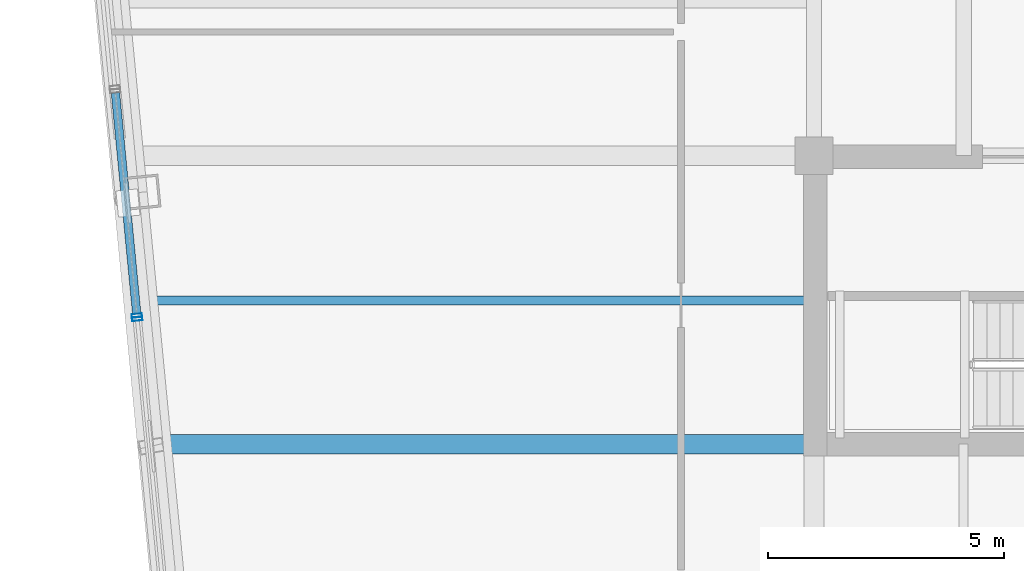
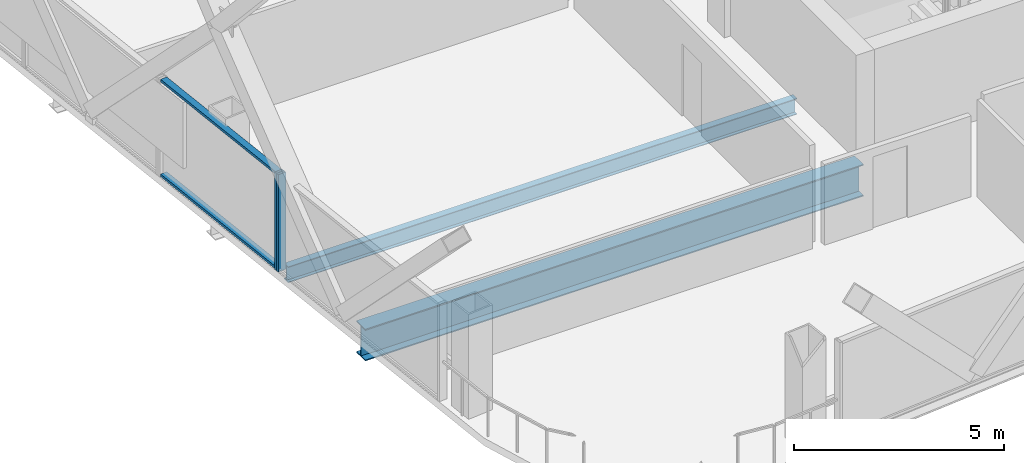
# One storey, part 4 of 34: 4 members, 2 beams, 2 elements without a shape of their own.
"""IFC4 building model written with IfcOpenShell, lengths in metres."""

import ifcopenshell
import ifcopenshell.guid

model = None  # the IFC model being written
_history = None  # IfcOwnerHistory: only IFC2X3 demands one
_inside = {}  # id of a spatial element -> (the spatial element, [elements in it])
_under = {}  # id of a project, library or spatial element -> (it, [spatial elements below it])
_declared = {}  # id of a project -> (the project, [libraries it declares])
_typed = {}  # id of a type object -> (the type object, [elements of that type])
_made_of = {}  # id of a material, layer set ... -> (it, [elements and type objects made of it])


def new_model(schema):
    """Start an empty IFC model of exactly this schema.

    Asked for "IFC4X3", IfcOpenShell would pick the latest addendum, in which some entities
    have other attributes; the version numbers below select the first issue.
    IFC2X3 requires an IfcOwnerHistory on every rooted entity: one is made here for all.
    """
    global model, _history
    if schema == "IFC4X3":
        model = ifcopenshell.file(schema_version=(4, 3, 0, 0))
    else:
        model = ifcopenshell.file(schema=schema)
    _inside.clear()
    _under.clear()
    _declared.clear()
    _typed.clear()
    _made_of.clear()
    _history = None
    if model.schema == "IFC2X3":
        org = make("IfcOrganization", Name="unknown")
        user = make(
            "IfcPersonAndOrganization",
            ThePerson=make("IfcPerson", FamilyName="unknown"),
            TheOrganization=org,
        )
        app = make(
            "IfcApplication",
            ApplicationDeveloper=org,
            Version="unknown",
            ApplicationFullName="unknown",
            ApplicationIdentifier="unknown",
        )
        _history = make(
            "IfcOwnerHistory",
            OwningUser=user,
            OwningApplication=app,
            ChangeAction="ADDED",
            CreationDate=0,
        )
    return model


def make(cls, **values):
    """One entity of the class cls with the attributes given. An attribute that is None is left unset."""
    return model.create_entity(
        cls, **{name: value for name, value in values.items() if value is not None}
    )


def rooted(cls, **values):
    """An entity with a GlobalId (a new one), such as an element, a storey or a relation."""
    return make(cls, GlobalId=ifcopenshell.guid.new(), OwnerHistory=_history, **values)


def si_unit(unit_type, name, prefix=None):
    """IfcSIUnit, for example si_unit("LENGTHUNIT", "METRE", prefix="MILLI")."""
    return make("IfcSIUnit", UnitType=unit_type, Prefix=prefix, Name=name)


def assignment(units):
    """IfcUnitAssignment: the units of a project."""
    return None if units is None else make("IfcUnitAssignment", Units=units)


def point(xyz):
    """IfcCartesianPoint."""
    return None if xyz is None else make("IfcCartesianPoint", Coordinates=xyz)


def direction(xyz):
    """IfcDirection."""
    return None if xyz is None else make("IfcDirection", DirectionRatios=xyz)


def frame(location, z_axis=None, x_axis=None):
    """IfcAxis2Placement3D, a coordinate frame: its origin and axes. An axis left out is left unset."""
    return make(
        "IfcAxis2Placement3D",
        Location=point(location),
        Axis=direction(z_axis),
        RefDirection=direction(x_axis),
    )


def frame_2d(location, x_axis=None):
    """IfcAxis2Placement2D, a coordinate frame in the plane: its origin and x axis."""
    return make(
        "IfcAxis2Placement2D", Location=point(location), RefDirection=direction(x_axis)
    )


def origin():
    """The frame at (0, 0, 0) with its axes left unset."""
    return frame((0.0, 0.0, 0.0))


def origin_2d():
    """The frame at (0, 0) in the plane with its x axis left unset."""
    return frame_2d((0.0, 0.0))


def place(relative_to, where):
    """IfcLocalPlacement: puts the frame where relative to a parent placement (None: the world)."""
    return make(
        "IfcLocalPlacement", PlacementRelTo=relative_to, RelativePlacement=where
    )


def context(
    kind, dimensions, precision=None, world=None, true_north=None, identifier=None
):
    """IfcGeometricRepresentationContext, for example the 3D "Model" context."""
    return make(
        "IfcGeometricRepresentationContext",
        ContextIdentifier=identifier,
        ContextType=kind,
        CoordinateSpaceDimension=dimensions,
        Precision=precision,
        WorldCoordinateSystem=world,
        TrueNorth=true_north,
    )


def subcontext(parent, identifier, kind, view, scale=None):
    """IfcGeometricRepresentationSubContext, for example "Body" below "Model"."""
    return make(
        "IfcGeometricRepresentationSubContext",
        ContextIdentifier=identifier,
        ContextType=kind,
        ParentContext=parent,
        TargetScale=scale,
        TargetView=view,
    )


def project(units=None, contexts=None):
    """IfcProject with its units and contexts."""
    return rooted(
        "IfcProject",
        Name="project",
        RepresentationContexts=contexts,
        UnitsInContext=assignment(units),
    )


def spatial(cls, under=None, at=None, **own):
    """A site, building, storey or space (cls), placed at a placement, below another one or the project."""
    s = rooted(cls, ObjectPlacement=at, **own)
    if under is not None:
        _under.setdefault(under.id(), (under, []))[1].append(s)
    return s


def profile(cls, at=None, kind="AREA", **sizes):
    """A parametric profile (cls). Its sizes go by their IFC names, for example OverallWidth=200.0."""
    return make(cls, ProfileType=kind, Position=at, **sizes)


def hollow_rectangle(**sizes):
    """IfcRectangleHollowProfileDef."""
    return profile("IfcRectangleHollowProfileDef", **sizes)


def i_section(**sizes):
    """IfcIShapeProfileDef."""
    return profile("IfcIShapeProfileDef", **sizes)


def extrude(swept, where, along, depth):
    """IfcExtrudedAreaSolid: the profile swept, set in the frame where, extruded along a direction by depth."""
    return make(
        "IfcExtrudedAreaSolid",
        SweptArea=swept,
        Position=where,
        ExtrudedDirection=direction(along),
        Depth=depth,
    )


def shape(context_of_items, identifier, shape_type, items):
    """IfcShapeRepresentation: the items that make up one representation, for example the "Body"."""
    return make(
        "IfcShapeRepresentation",
        ContextOfItems=context_of_items,
        RepresentationIdentifier=identifier,
        RepresentationType=shape_type,
        Items=items,
    )


def material(Name=None, Category=None):
    """IfcMaterial."""
    return make("IfcMaterial", Name=Name, Category=Category)


def layer(
    of_material, thickness, ventilated=None, Name=None, Category=None, Priority=None
):
    """IfcMaterialLayer: one layer of a wall or slab, of a material (None: an air gap)."""
    return make(
        "IfcMaterialLayer",
        Material=of_material,
        LayerThickness=thickness,
        IsVentilated=ventilated,
        Name=Name,
        Category=Category,
        Priority=Priority,
    )


def layer_set(layers, Name=None):
    """IfcMaterialLayerSet."""
    return make("IfcMaterialLayerSet", MaterialLayers=layers, LayerSetName=Name)


def material_profile(
    of_material, cross_section, Name=None, Category=None, Priority=None
):
    """IfcMaterialProfile: a cross section and its material."""
    return make(
        "IfcMaterialProfile",
        Name=Name,
        Material=of_material,
        Profile=cross_section,
        Priority=Priority,
        Category=Category,
    )


def profile_set(profiles, Name=None, composite=None):
    """IfcMaterialProfileSet."""
    return make(
        "IfcMaterialProfileSet",
        Name=Name,
        MaterialProfiles=profiles,
        CompositeProfile=composite,
    )


def made_of(thing, what):
    """Note that an element or type object is made of a material, layer set ...; save() writes the relation."""
    if what is not None:
        _made_of.setdefault(what.id(), (what, []))[1].append(thing)
    return thing


def type_object(cls, material=None, **own):
    """A type object (cls), such as IfcWallType, which elements share."""
    return made_of(rooted(cls, **own), material)


def element(
    cls,
    number,
    at=None,
    inside=None,
    cuts=None,
    type_object=None,
    material=None,
    context=None,
    identifier="Body",
    shape_type=None,
    held_by="IfcProductDefinitionShape",
    body=None,
    shapes=None,
    **own,
):
    """One element of the class cls, such as IfcWall. Its Tag is "e" and its number.

    at: its placement. inside: the storey or other place that contains it. cuts: it is an
    opening in that element (IfcRelVoidsElement). A single representation is given by context,
    identifier, shape_type and body (its items); several are given by shapes. held_by: the class
    of the entity that holds the representations. save() writes the other relations.
    """
    e = rooted(cls, Tag="e%d" % number, ObjectPlacement=at, **own)
    if body is not None:
        shapes = [shape(context, identifier, shape_type, body)]
    if shapes is not None:
        e.Representation = make(held_by, Representations=shapes)
    if inside is not None:
        _inside.setdefault(inside.id(), (inside, []))[1].append(e)
    if cuts is not None:
        rooted(
            "IfcRelVoidsElement", RelatingBuildingElement=cuts, RelatedOpeningElement=e
        )
    if type_object is not None:
        _typed.setdefault(type_object.id(), (type_object, []))[1].append(e)
    return made_of(e, material)


def aggregate(whole, parts):
    """IfcRelAggregates: a whole, such as a stair, and the parts it consists of."""
    return rooted("IfcRelAggregates", RelatingObject=whole, RelatedObjects=parts)


def save(model, path):
    """Write the relations noted so far, then the file.

    IfcRelAggregates (storeys below a building ...), IfcRelContainedInSpatialStructure (elements
    in a storey), IfcRelDefinesByType, IfcRelAssociatesMaterial and IfcRelDeclares: one each for
    every whole, place, type object, material and project.
    """
    for whole, parts in _under.values():
        aggregate(whole, parts)
    for where, things in _inside.values():
        rooted(
            "IfcRelContainedInSpatialStructure",
            RelatedElements=things,
            RelatingStructure=where,
        )
    for kind, things in _typed.values():
        rooted("IfcRelDefinesByType", RelatedObjects=things, RelatingType=kind)
    for what, things in _made_of.values():
        rooted("IfcRelAssociatesMaterial", RelatedObjects=things, RelatingMaterial=what)
    for by, libraries in _declared.values():
        rooted("IfcRelDeclares", RelatingContext=by, RelatedDefinitions=libraries)
    model.write(path)


model = new_model("IFC4")

# Units and contexts
model_context = context("Model", 3, precision=1e-05, world=origin(), true_north=direction((0.0, 1.0)))
body_context = subcontext(model_context, "Body", "Model", "MODEL_VIEW")
ifc_project = project(units=[si_unit("LENGTHUNIT", "METRE"), si_unit("AREAUNIT", "SQUARE_METRE"), si_unit("VOLUMEUNIT", "CUBIC_METRE"), si_unit("PLANEANGLEUNIT", "RADIAN"), si_unit("MASSUNIT", "GRAM", prefix="KILO")], contexts=[model_context])

# Site, building, storey
site_placement = place(None, origin())
site = spatial("IfcSite", under=ifc_project, at=site_placement, CompositionType="ELEMENT")
building_placement = place(site_placement, origin())
building = spatial("IfcBuilding", under=site, at=building_placement, Name="Qhalaya Broadcast Tower", CompositionType="ELEMENT")
storey_placement = place(building_placement, frame((0.0, 0.0, 168.35009765625)))
storey = spatial("IfcBuildingStorey", under=building, at=storey_placement, Name="L49", CompositionType="ELEMENT", Elevation=168.35009765625)

# Beams
ifc_material_1 = material(Name="Structural Steel ASTM A992 Grade 50", Category="steel")
ifc_material_profile_1 = material_profile(ifc_material_1, i_section(OverallWidth=0.19189453125, OverallDepth=0.462890625, WebThickness=0.010498046875, FlangeThickness=0.017578125, at=origin_2d()), Name="W18X60")
ifc_profile_set_1 = profile_set([ifc_material_profile_1], Name="Structural Steel ASTM A992 Grade 50")
beam_type_1 = type_object("IfcBeamType", Name="Composite Floor Joist J03", PredefinedType="JOIST", material=ifc_profile_set_1)
beam_1_placement = place(storey_placement, frame((-23.375732421875, -5.699951171875, -0.45166015625), z_axis=(1.0, 0.0, 0.0), x_axis=(0.0, 1.0, 0.0)))
element("IfcBeam", 1, at=beam_1_placement, inside=storey, type_object=beam_type_1, Name="L49 J03 L49-JWE3W-1", PredefinedType="JOIST", context=body_context, shape_type="SweptSolid", body=[
    extrude(i_section(OverallWidth=0.19189453125, OverallDepth=0.462890625, WebThickness=0.010498046875, FlangeThickness=0.017578125, at=origin_2d()), origin(), (0.0, 0.0, 1.0), 14.000732421875),
])
ifc_material_profile_2 = material_profile(ifc_material_1, i_section(OverallWidth=0.4189453125, OverallDepth=0.927001953125, WebThickness=0.019287109375, FlangeThickness=0.031982421875, at=origin_2d()), Name="W36X231")
ifc_profile_set_2 = profile_set([ifc_material_profile_2], Name="Structural Steel ASTM A992 Grade 50")
beam_type_2 = type_object("IfcBeamType", Name="Mid Block Primary Girder PG3", PredefinedType="USERDEFINED", material=ifc_profile_set_2)
beam_2_placement = place(storey_placement, frame((-23.08203125, -8.75, -0.68359375), z_axis=(1.0, 0.0, 0.0), x_axis=(0.0, 1.0, 0.0)))
element("IfcBeam", 2, at=beam_2_placement, inside=storey, type_object=beam_type_2, Name="L49 PG3 L49-PGYW1-1", ObjectType="GIRDER", PredefinedType="USERDEFINED", context=body_context, shape_type="SweptSolid", body=[
    extrude(i_section(OverallWidth=0.4189453125, OverallDepth=0.927001953125, WebThickness=0.019287109375, FlangeThickness=0.031982421875, at=origin_2d()), origin(), (0.0, 0.0, 1.0), 13.70703125),
])

# Curtain wall, member
ifc_material_2 = material(Name="Solar-Control Low-E Triple Glazing", Category="glass")
ifc_layer_1 = layer(ifc_material_2, 0.219970703125, Name="Solar-Control Low-E Triple Glazing")
ifc_layer_set_1 = layer_set([ifc_layer_1], Name="Solar-Control Low-E Triple Glazing")
curtain_wall_type_1 = type_object("IfcCurtainWallType", Name="Even-Block 4-Storey Double-Module Curtain Wall CW-03", PredefinedType="NOTDEFINED", material=ifc_layer_set_1)
curtain_wall_1_placement = place(storey_placement, origin())
curtain_wall_1 = element("IfcCurtainWall", 3, at=curtain_wall_1_placement, inside=storey, type_object=curtain_wall_type_1, Name="L49 Unitised Curtain Wall L49-CW-W4", PredefinedType="NOTDEFINED")
ifc_material_3 = material(Name="Anodised Aluminium 6063-T6", Category="aluminium")
ifc_material_profile_3 = material_profile(ifc_material_3, hollow_rectangle(XDim=0.074951171875, YDim=0.219970703125, WallThickness=0.00390625, at=origin_2d()), Name="ALU-MUL 75x220x4")
ifc_profile_set_3 = profile_set([ifc_material_profile_3], Name="Anodised Aluminium 6063-T6")
member_type_1 = type_object("IfcMemberType", Name="Unitised Curtain-Wall Mullion M01", PredefinedType="MULLION", material=ifc_profile_set_3)
member_1_placement = place(storey_placement, frame((-23.7470703125, -6.017333984375, 0.0), z_axis=(0.0, 0.0, 1.0), x_axis=(0.095844898762, -0.995396280574, 0.0)))
member_1 = element("IfcMember", 4, at=member_1_placement, type_object=member_type_1, Name="CW-03 mullion 2", PredefinedType="MULLION", context=body_context, shape_type="SweptSolid", body=[
    extrude(hollow_rectangle(XDim=0.074951171875, YDim=0.219970703125, WallThickness=0.00390625, at=origin_2d()), origin(), (0.0, 0.0, 1.0), 2.829833984375),
])

ifc_material_4 = material(Name="Fired Architectural Terracotta", Category="masonry")
ifc_layer_2 = layer(ifc_material_4, 0.219970703125, Name="Fired Architectural Terracotta")
ifc_layer_set_2 = layer_set([ifc_layer_2], Name="Fired Architectural Terracotta")
curtain_wall_type_2 = type_object("IfcCurtainWallType", Name="Block-Cap Unitised Terracotta Spandrel Wall CW-07", PredefinedType="NOTDEFINED", material=ifc_layer_set_2)
curtain_wall_2_placement = place(storey_placement, origin())
curtain_wall_2 = element("IfcCurtainWall", 5, at=curtain_wall_2_placement, inside=storey, type_object=curtain_wall_type_2, Name="L49 Unitised Curtain Wall L49-CW-W5", PredefinedType="NOTDEFINED")
member_2_placement = place(storey_placement, frame((-23.73974609375, -6.092041015625, 0.0), z_axis=(0.0, 0.0, 1.0), x_axis=(0.095842362816, -0.995396524753, 0.0)))
member_2 = element("IfcMember", 6, at=member_2_placement, type_object=member_type_1, Name="CW-07 mullion 1", PredefinedType="MULLION", context=body_context, shape_type="SweptSolid", body=[
    extrude(hollow_rectangle(XDim=0.074951171875, YDim=0.219970703125, WallThickness=0.00390625, at=origin_2d()), origin(), (0.0, 0.0, 1.0), 2.829833984375),
])
aggregate(curtain_wall_2, [member_2])

# Member
ifc_material_profile_4 = material_profile(ifc_material_3, hollow_rectangle(XDim=0.074951171875, YDim=0.179931640625, WallThickness=0.00390625, at=origin_2d()), Name="ALU-TRN 75x180x4")
ifc_profile_set_4 = profile_set([ifc_material_profile_4], Name="Anodised Aluminium 6063-T6")
member_type_2 = type_object("IfcMemberType", Name="Unitised Curtain-Wall Transom T01", PredefinedType="USERDEFINED", material=ifc_profile_set_4)
member_3_placement = place(storey_placement, frame((-24.2021484375, -1.290771484375, 0.037353515625), z_axis=(0.095875342075, -0.995393348773, 0.0), x_axis=(0.0, 0.0, 1.0)))
member_3 = element("IfcMember", 7, at=member_3_placement, type_object=member_type_2, Name="CW-03 transom 1.1", ObjectType="TRANSOM", PredefinedType="USERDEFINED", context=body_context, shape_type="SweptSolid", body=[
    extrude(hollow_rectangle(XDim=0.074951171875, YDim=0.179931640625, WallThickness=0.00390625, at=origin_2d()), origin(), (0.0, 0.0, 1.0), 4.7109375),
])

member_4_placement = place(storey_placement, frame((-24.2021484375, -1.290771484375, 2.79248046875), z_axis=(0.095875342075, -0.995393348773, 0.0), x_axis=(0.0, 0.0, 1.0)))
member_4 = element("IfcMember", 8, at=member_4_placement, type_object=member_type_2, Name="CW-03 transom 1.2", ObjectType="TRANSOM", PredefinedType="USERDEFINED", context=body_context, shape_type="SweptSolid", body=[
    extrude(hollow_rectangle(XDim=0.074951171875, YDim=0.179931640625, WallThickness=0.00390625, at=origin_2d()), origin(), (0.0, 0.0, 1.0), 4.7109375),
])

aggregate(curtain_wall_1, [member_1, member_3, member_4])

save(model, "model.ifc")
